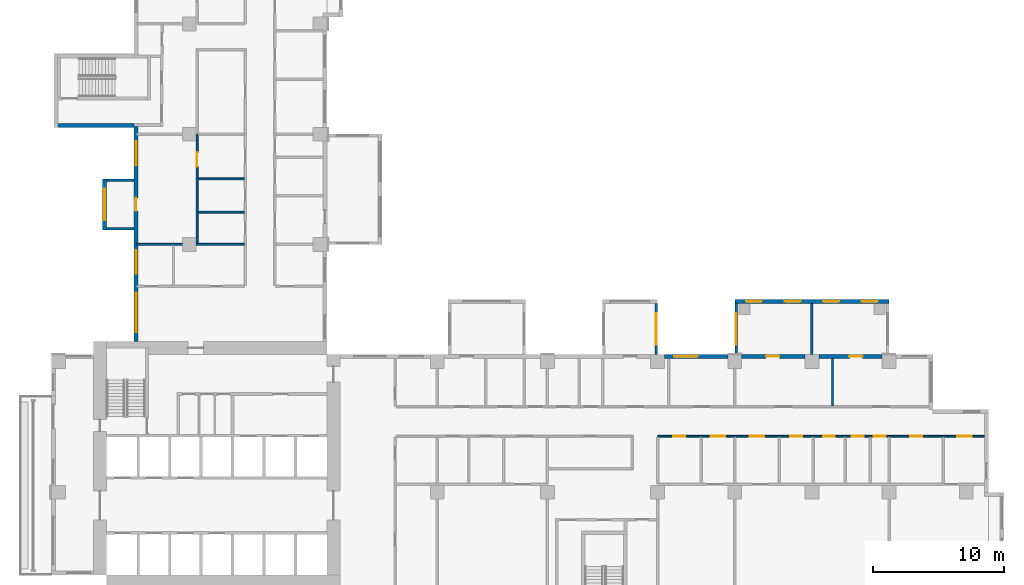
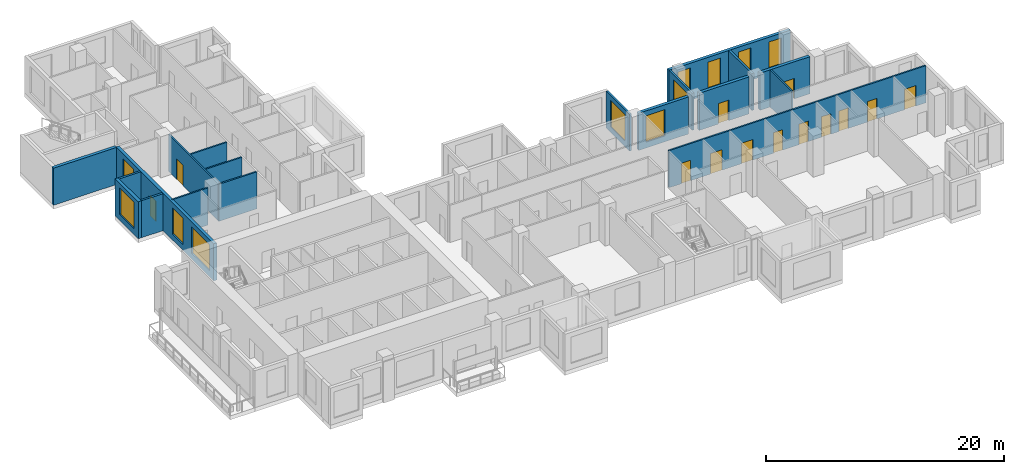
# One storey, part 6 of 15: 19 walls, 13 doors, 11 windows, 24 openings.
"""IFC4 building model written with IfcOpenShell, lengths in metres."""

from ifc_helpers import new_model, si_unit, direction, frame, frame_2d, origin, place, context, subcontext, project, spatial, rectangle, extrude, source, transform, mapped, material, layer, layer_set, type_object, element, fill, save


model = new_model("IFC4")

# Units and contexts
model_context = context("Model", 3, precision=1e-05, world=origin(), true_north=direction((0.0, 1.0)))
body_context = subcontext(model_context, "Body", "Model", "MODEL_VIEW")
ifc_project = project(units=[si_unit("LENGTHUNIT", "METRE"), si_unit("AREAUNIT", "SQUARE_METRE"), si_unit("VOLUMEUNIT", "CUBIC_METRE"), si_unit("PLANEANGLEUNIT", "RADIAN"), si_unit("MASSUNIT", "GRAM", prefix="KILO")], contexts=[model_context])

# Site, building, storey
site_placement = place(None, origin())
site = spatial("IfcSite", under=ifc_project, at=site_placement, CompositionType="ELEMENT")
building_placement = place(site_placement, origin())
building = spatial("IfcBuilding", under=site, at=building_placement, Name="Aurelian Terraces", CompositionType="ELEMENT")
storey_placement = place(building_placement, frame((0.0, 0.0, 137.1)))
storey = spatial("IfcBuildingStorey", under=building, at=storey_placement, Name="L30", CompositionType="ELEMENT", Elevation=137.1)

# Wall, opening, window
ifc_material_1 = material(Name="Concrete fc' 40 MPa", Category="concrete")
ifc_layer_1 = layer(ifc_material_1, 0.2)
ifc_layer_set_1 = layer_set([ifc_layer_1], Name="BOX BEARING WALL 200")
wall_type_1 = type_object("IfcWallType", Name="BOX BEARING WALL 200", PredefinedType="SOLIDWALL", material=ifc_layer_set_1)
shared_shape_1 = source(origin(), body_context, "Body", "SweptSolid", [
    extrude(rectangle(XDim=3.9, YDim=0.2, at=frame_2d((1.95, 0.0))), origin(), (0.0, 0.0, 1.0), 3.79),
])
wall_1_placement = place(storey_placement, frame((52.18, 21.0, 0.0), z_axis=(0.0, 0.0, 1.0), x_axis=(0.0, 1.0, 0.0)))
wall_1 = element("IfcWall", 1, at=wall_1_placement, inside=storey, type_object=wall_type_1, Name="Box return L30 K02.2", PredefinedType="SOLIDWALL", context=body_context, shape_type="MappedRepresentation", body=[
    mapped(shared_shape_1, transform((0.0, 0.0, 0.0), scale=1.0)),
])
shared_shape_2 = source(origin(), body_context, "Body", "SweptSolid", [
    extrude(rectangle(XDim=2.4, YDim=2.7, at=frame_2d((1.2, 1.35))), frame((0.0, 0.11, 0.0), z_axis=(0.0, -1.0, 0.0), x_axis=(1.0, 0.0, 0.0)), (0.0, 0.0, 1.0), 0.22),
])
opening_1_placement = place(wall_1_placement, frame((0.75, 0.0, 0.6)))
opening_1 = element("IfcOpeningElement", 2, at=opening_1_placement, cuts=wall_1, Name="Opening W2427", PredefinedType="OPENING", context=body_context, shape_type="MappedRepresentation", body=[
    mapped(shared_shape_2, transform((0.0, 0.0, 0.0), scale=1.0)),
])
ifc_material_2 = material(Name="Clear glazing", Category="glass")
window_type_1 = type_object("IfcWindowType", Name="W-2400x2700", PartitioningType="SINGLE_PANEL", PredefinedType="WINDOW", material=ifc_material_2)
shared_shape_3 = source(origin(), body_context, "Body", "SweptSolid", [
    extrude(rectangle(XDim=2.4, YDim=2.7, at=frame_2d((1.2, 1.35))), frame((0.0, 0.03, 0.0), z_axis=(0.0, -1.0, 0.0), x_axis=(1.0, 0.0, 0.0)), (0.0, 0.0, 1.0), 0.06),
])
window_1_placement = place(opening_1_placement, origin())
window_1 = element("IfcWindow", 3, at=window_1_placement, inside=storey, type_object=window_type_1, Name="Window L30 K02-S2", OverallHeight=2.7, OverallWidth=2.4, PartitioningType="SINGLE_PANEL", PredefinedType="WINDOW", context=body_context, shape_type="MappedRepresentation", body=[
    mapped(shared_shape_3, transform((0.0, 0.0, 0.0), scale=1.0)),
])
fill(opening_1, window_1)

wall_2_placement = place(storey_placement, frame((46.1, 21.0, 0.0), z_axis=(0.0, 0.0, 1.0), x_axis=(0.0, 1.0, 0.0)))
wall_2 = element("IfcWall", 4, at=wall_2_placement, inside=storey, type_object=wall_type_1, Name="Box return L30 J43.1", PredefinedType="SOLIDWALL", context=body_context, shape_type="MappedRepresentation", body=[
    mapped(shared_shape_1, transform((0.0, 0.0, 0.0), scale=1.0)),
])
opening_2_placement = place(wall_2_placement, frame((0.75, 0.0, 0.6)))
opening_2 = element("IfcOpeningElement", 5, at=opening_2_placement, cuts=wall_2, Name="Opening W2427", PredefinedType="OPENING", context=body_context, shape_type="MappedRepresentation", body=[
    mapped(shared_shape_2, transform((0.0, 0.0, 0.0), scale=1.0)),
])
window_2_placement = place(opening_2_placement, origin())
window_2 = element("IfcWindow", 6, at=window_2_placement, inside=storey, type_object=window_type_1, Name="Window L30 J43-S1", OverallHeight=2.7, OverallWidth=2.4, PartitioningType="SINGLE_PANEL", PredefinedType="WINDOW", context=body_context, shape_type="MappedRepresentation", body=[
    mapped(shared_shape_3, transform((0.0, 0.0, 0.0), scale=1.0)),
])
fill(opening_2, window_2)

# Wall, openings, windows
ifc_layer_2 = layer(ifc_material_1, 0.3)
ifc_layer_set_2 = layer_set([ifc_layer_2], Name="BOX BEARING WALL 300")
wall_type_2 = type_object("IfcWallType", Name="BOX BEARING WALL 300", PredefinedType="SOLIDWALL", material=ifc_layer_set_2)
shared_shape_4 = source(origin(), body_context, "Body", "SweptSolid", [
    extrude(rectangle(XDim=11.76, YDim=0.3, at=frame_2d((5.88, 0.0))), origin(), (0.0, 0.0, 1.0), 3.79),
])
wall_3_placement = place(storey_placement, frame((63.84, 25.05, 0.0), z_axis=(0.0, 0.0, 1.0), x_axis=(-1.0, 0.0, 0.0)))
wall_3 = element("IfcWall", 7, at=wall_3_placement, inside=storey, type_object=wall_type_2, Name="Box wall L30 K02", PredefinedType="SOLIDWALL", context=body_context, shape_type="MappedRepresentation", body=[
    mapped(shared_shape_4, transform((0.0, 0.0, 0.0), scale=1.0)),
])
shared_shape_5 = source(origin(), body_context, "Body", "SweptSolid", [
    extrude(rectangle(XDim=1.2, YDim=2.7, at=frame_2d((0.6, 1.35))), frame((0.0, 0.16, 0.0), z_axis=(0.0, -1.0, 0.0), x_axis=(1.0, 0.0, 0.0)), (0.0, 0.0, 1.0), 0.32),
])
opening_3_placement = place(wall_3_placement, frame((0.87, 0.0, 0.6)))
opening_3 = element("IfcOpeningElement", 8, at=opening_3_placement, cuts=wall_3, Name="Opening W1227", PredefinedType="OPENING", context=body_context, shape_type="MappedRepresentation", body=[
    mapped(shared_shape_5, transform((0.0, 0.0, 0.0), scale=1.0)),
])
opening_4_placement = place(wall_3_placement, frame((3.81, 0.0, 0.6)))
opening_4 = element("IfcOpeningElement", 9, at=opening_4_placement, cuts=wall_3, Name="Opening W1227", PredefinedType="OPENING", context=body_context, shape_type="MappedRepresentation", body=[
    mapped(shared_shape_5, transform((0.0, 0.0, 0.0), scale=1.0)),
])
opening_5_placement = place(wall_3_placement, frame((6.75, 0.0, 0.6)))
opening_5 = element("IfcOpeningElement", 10, at=opening_5_placement, cuts=wall_3, Name="Opening W1227", PredefinedType="OPENING", context=body_context, shape_type="MappedRepresentation", body=[
    mapped(shared_shape_5, transform((0.0, 0.0, 0.0), scale=1.0)),
])
opening_6_placement = place(wall_3_placement, frame((9.69, 0.0, 0.6)))
opening_6 = element("IfcOpeningElement", 11, at=opening_6_placement, cuts=wall_3, Name="Opening W1227", PredefinedType="OPENING", context=body_context, shape_type="MappedRepresentation", body=[
    mapped(shared_shape_5, transform((0.0, 0.0, 0.0), scale=1.0)),
])
window_type_2 = type_object("IfcWindowType", Name="W-1200x2700", PartitioningType="SINGLE_PANEL", PredefinedType="WINDOW", material=ifc_material_2)
shared_shape_6 = source(origin(), body_context, "Body", "SweptSolid", [
    extrude(rectangle(XDim=1.2, YDim=2.7, at=frame_2d((0.6, 1.35))), frame((0.0, 0.03, 0.0), z_axis=(0.0, -1.0, 0.0), x_axis=(1.0, 0.0, 0.0)), (0.0, 0.0, 1.0), 0.06),
])
window_3_placement = place(opening_3_placement, origin())
window_3 = element("IfcWindow", 12, at=window_3_placement, inside=storey, type_object=window_type_2, Name="Window L30 K02-F1", OverallHeight=2.7, OverallWidth=1.2, PartitioningType="SINGLE_PANEL", PredefinedType="WINDOW", context=body_context, shape_type="MappedRepresentation", body=[
    mapped(shared_shape_6, transform((0.0, 0.0, 0.0), scale=1.0)),
])
fill(opening_3, window_3)
window_4_placement = place(opening_4_placement, origin())
window_4 = element("IfcWindow", 13, at=window_4_placement, inside=storey, type_object=window_type_2, Name="Window L30 K02-F2", OverallHeight=2.7, OverallWidth=1.2, PartitioningType="SINGLE_PANEL", PredefinedType="WINDOW", context=body_context, shape_type="MappedRepresentation", body=[
    mapped(shared_shape_6, transform((0.0, 0.0, 0.0), scale=1.0)),
])
fill(opening_4, window_4)
window_5_placement = place(opening_5_placement, origin())
window_5 = element("IfcWindow", 14, at=window_5_placement, inside=storey, type_object=window_type_2, Name="Window L30 K02-F3", OverallHeight=2.7, OverallWidth=1.2, PartitioningType="SINGLE_PANEL", PredefinedType="WINDOW", context=body_context, shape_type="MappedRepresentation", body=[
    mapped(shared_shape_6, transform((0.0, 0.0, 0.0), scale=1.0)),
])
fill(opening_5, window_5)
window_6_placement = place(opening_6_placement, origin())
window_6 = element("IfcWindow", 15, at=window_6_placement, inside=storey, type_object=window_type_2, Name="Window L30 K02-F4", OverallHeight=2.7, OverallWidth=1.2, PartitioningType="SINGLE_PANEL", PredefinedType="WINDOW", context=body_context, shape_type="MappedRepresentation", body=[
    mapped(shared_shape_6, transform((0.0, 0.0, 0.0), scale=1.0)),
])
fill(opening_6, window_6)

# Walls
shared_shape_7 = source(origin(), body_context, "Body", "SweptSolid", [
    extrude(rectangle(XDim=3.9, YDim=0.2, at=frame_2d((1.95, 0.0))), origin(), (0.0, 0.0, 1.0), 3.79),
])
wall_4_placement = place(storey_placement, frame((57.96, 21.0, 0.0), z_axis=(0.0, 0.0, 1.0), x_axis=(0.0, 1.0, 0.0)))
element("IfcWall", 16, at=wall_4_placement, inside=storey, type_object=wall_type_1, Name="Box partition L30 K02", PredefinedType="SOLIDWALL", context=body_context, shape_type="MappedRepresentation", body=[
    mapped(shared_shape_7, transform((0.0, 0.0, 0.0), scale=1.0)),
])
ifc_layer_3 = layer(ifc_material_1, 0.3)
ifc_layer_set_3 = layer_set([ifc_layer_3], Name="STAIR BAY WALL 300")
wall_type_3 = type_object("IfcWallType", Name="STAIR BAY WALL 300", PredefinedType="SOLIDWALL", material=ifc_layer_set_3)
shared_shape_8 = source(origin(), body_context, "Body", "SweptSolid", [
    extrude(rectangle(XDim=6.1, YDim=0.3, at=frame_2d((3.05, 0.0))), origin(), (0.0, 0.0, 1.0), 3.8),
])
wall_5_placement = place(storey_placement, frame((0.2, 38.45, 0.0), z_axis=(0.0, 0.0, 1.0), x_axis=(1.0, 0.0, 0.0)))
element("IfcWall", 17, at=wall_5_placement, inside=storey, type_object=wall_type_3, Name="Stair bay wall L30 F15.32", PredefinedType="SOLIDWALL", context=body_context, shape_type="MappedRepresentation", body=[
    mapped(shared_shape_8, transform((0.0, 0.0, 0.0), scale=1.0)),
])

# Wall, opening, door
ifc_material_3 = material(Name="Terracotta rainscreen cladding", Category="masonry")
ifc_layer_4 = layer(ifc_material_3, 0.3)
ifc_layer_set_4 = layer_set([ifc_layer_4], Name="EW-300")
wall_type_4 = type_object("IfcWallType", Name="EW-300", PredefinedType="STANDARD", material=ifc_layer_set_4)
shared_shape_9 = source(origin(), body_context, "Body", "SweptSolid", [
    extrude(rectangle(XDim=4.83, YDim=0.3, at=frame_2d((2.415, 0.0))), origin(), (0.0, 0.0, 1.0), 3.8),
])
wall_6_placement = place(storey_placement, frame((63.315, 20.85, 0.0), z_axis=(0.0, 0.0, 1.0), x_axis=(-1.0, 0.0, 0.0)))
wall_6 = element("IfcWall", 18, at=wall_6_placement, inside=storey, type_object=wall_type_4, Name="External wall L30 F07.19", PredefinedType="STANDARD", context=body_context, shape_type="MappedRepresentation", body=[
    mapped(shared_shape_9, transform((0.0, 0.0, 0.0), scale=1.0)),
])
shared_shape_10 = source(origin(), body_context, "Body", "SweptSolid", [
    extrude(rectangle(XDim=1.0, YDim=2.1, at=frame_2d((0.5, 1.05))), frame((0.0, 0.16, 0.0), z_axis=(0.0, -1.0, 0.0), x_axis=(1.0, 0.0, 0.0)), (0.0, 0.0, 1.0), 0.32),
])
opening_7_placement = place(wall_6_placement, frame((1.495, 0.0, 0.0)))
opening_7 = element("IfcOpeningElement", 19, at=opening_7_placement, cuts=wall_6, Name="Opening 830007", PredefinedType="OPENING", context=body_context, shape_type="MappedRepresentation", body=[
    mapped(shared_shape_10, transform((0.0, 0.0, 0.0), scale=1.0)),
])
ifc_material_4 = material(Name="Timber door leaf", Category="wood")
door_type_1 = type_object("IfcDoorType", Name="Room door 1000x2100 left", OperationType="SINGLE_SWING_LEFT", PredefinedType="DOOR", material=ifc_material_4)
shared_shape_11 = source(origin(), body_context, "Body", "SweptSolid", [
    extrude(rectangle(XDim=1.0, YDim=2.1, at=frame_2d((0.5, 1.05))), frame((0.0, 0.025, 0.0), z_axis=(0.0, -1.0, 0.0), x_axis=(1.0, 0.0, 0.0)), (0.0, 0.0, 1.0), 0.05),
])
door_1_placement = place(opening_7_placement, origin())
door_1 = element("IfcDoor", 20, at=door_1_placement, inside=storey, type_object=door_type_1, Name="Door 830007", OperationType="SINGLE_SWING_LEFT", OverallHeight=2.1, OverallWidth=1.0, PredefinedType="DOOR", context=body_context, shape_type="MappedRepresentation", body=[
    mapped(shared_shape_11, transform((0.0, 0.0, 0.0), scale=1.0)),
])
fill(opening_7, door_1)

wall_7_placement = place(storey_placement, frame((57.435, 20.85, 0.0), z_axis=(0.0, 0.0, 1.0), x_axis=(-1.0, 0.0, 0.0)))
wall_7 = element("IfcWall", 21, at=wall_7_placement, inside=storey, type_object=wall_type_4, Name="External wall L30 F07.19", PredefinedType="STANDARD", context=body_context, shape_type="MappedRepresentation", body=[
    mapped(shared_shape_9, transform((0.0, 0.0, 0.0), scale=1.0)),
])
opening_8_placement = place(wall_7_placement, frame((1.9617, 0.0, 0.0)))
opening_8 = element("IfcOpeningElement", 22, at=opening_8_placement, cuts=wall_7, Name="Opening 830008", PredefinedType="OPENING", context=body_context, shape_type="MappedRepresentation", body=[
    mapped(shared_shape_10, transform((0.0, 0.0, 0.0), scale=1.0)),
])
door_2_placement = place(opening_8_placement, origin())
door_2 = element("IfcDoor", 23, at=door_2_placement, inside=storey, type_object=door_type_1, Name="Door 830008", OperationType="SINGLE_SWING_LEFT", OverallHeight=2.1, OverallWidth=1.0, PredefinedType="DOOR", context=body_context, shape_type="MappedRepresentation", body=[
    mapped(shared_shape_11, transform((0.0, 0.0, 0.0), scale=1.0)),
])
fill(opening_8, door_2)

# Wall, opening, window
wall_8_placement = place(storey_placement, frame((51.555, 20.85, 0.0), z_axis=(0.0, 0.0, 1.0), x_axis=(-1.0, 0.0, 0.0)))
wall_8 = element("IfcWall", 24, at=wall_8_placement, inside=storey, type_object=wall_type_4, Name="External wall L30 F07.19", PredefinedType="STANDARD", context=body_context, shape_type="MappedRepresentation", body=[
    mapped(shared_shape_9, transform((0.0, 0.0, 0.0), scale=1.0)),
])
shared_shape_12 = source(origin(), body_context, "Body", "SweptSolid", [
    extrude(rectangle(XDim=1.8, YDim=2.7, at=frame_2d((0.9, 1.35))), frame((0.0, 0.16, 0.0), z_axis=(0.0, -1.0, 0.0), x_axis=(1.0, 0.0, 0.0)), (0.0, 0.0, 1.0), 0.32),
])
opening_9_placement = place(wall_8_placement, frame((2.2975, 0.0, 0.6)))
opening_9 = element("IfcOpeningElement", 25, at=opening_9_placement, cuts=wall_8, Name="Opening W1827", PredefinedType="OPENING", context=body_context, shape_type="MappedRepresentation", body=[
    mapped(shared_shape_12, transform((0.0, 0.0, 0.0), scale=1.0)),
])
window_type_3 = type_object("IfcWindowType", Name="W-1800x2700", PartitioningType="SINGLE_PANEL", PredefinedType="WINDOW", material=ifc_material_2)
shared_shape_13 = source(origin(), body_context, "Body", "SweptSolid", [
    extrude(rectangle(XDim=1.8, YDim=2.7, at=frame_2d((0.9, 1.35))), frame((0.0, 0.03, 0.0), z_axis=(0.0, -1.0, 0.0), x_axis=(1.0, 0.0, 0.0)), (0.0, 0.0, 1.0), 0.06),
])
window_7_placement = place(opening_9_placement, origin())
window_7 = element("IfcWindow", 26, at=window_7_placement, inside=storey, type_object=window_type_3, Name="Window L30 L30-F07-19-4", OverallHeight=2.7, OverallWidth=1.8, PartitioningType="SINGLE_PANEL", PredefinedType="WINDOW", context=body_context, shape_type="MappedRepresentation", body=[
    mapped(shared_shape_13, transform((0.0, 0.0, 0.0), scale=1.0)),
])
fill(opening_9, window_7)

# Walls
shared_shape_14 = source(origin(), body_context, "Body", "SweptSolid", [
    extrude(rectangle(XDim=2.1, YDim=0.2, at=frame_2d((1.05, 0.0))), origin(), (0.0, 0.0, 1.0), 3.79),
])
for number, where, z_axis, x_axis, name in (
    (27, (6.3, 34.3, 0.0), (0.0, 0.0, 1.0), (-1.0, 0.0, 0.0), "Box return L30 J44.1"),
    (28, (6.3, 30.6, 0.0), (0.0, 0.0, 1.0), (-1.0, 0.0, 0.0), "Box return L30 J44.2"),
):
    element("IfcWall", number, at=place(storey_placement, frame(where, z_axis=z_axis, x_axis=x_axis)), inside=storey, type_object=wall_type_1, Name=name, PredefinedType="SOLIDWALL", context=body_context, shape_type="MappedRepresentation", body=[
        mapped(shared_shape_14, transform((0.0, 0.0, 0.0), scale=1.0)),
    ])

# Wall, openings, windows, door
shared_shape_15 = source(origin(), body_context, "Body", "SweptSolid", [
    extrude(rectangle(XDim=16.4, YDim=0.3, at=frame_2d((8.2, 0.0))), origin(), (0.0, 0.0, 1.0), 3.8),
])
wall_9_placement = place(storey_placement, frame((6.45, 38.4, 0.0), z_axis=(0.0, 0.0, 1.0), x_axis=(0.0, -1.0, 0.0)))
wall_9 = element("IfcWall", 29, at=wall_9_placement, inside=storey, type_object=wall_type_4, Name="External wall L30 F16.33", PredefinedType="STANDARD", context=body_context, shape_type="MappedRepresentation", body=[
    mapped(shared_shape_15, transform((0.0, 0.0, 0.0), scale=1.0)),
])
opening_10_placement = place(wall_9_placement, frame((1.15, 0.0, 0.6)))
opening_10 = element("IfcOpeningElement", 30, at=opening_10_placement, cuts=wall_9, Name="Opening W1827", PredefinedType="OPENING", context=body_context, shape_type="MappedRepresentation", body=[
    mapped(shared_shape_12, transform((0.0, 0.0, 0.0), scale=1.0)),
])
opening_11_placement = place(wall_9_placement, frame((9.4375, 0.0, 0.6)))
opening_11 = element("IfcOpeningElement", 31, at=opening_11_placement, cuts=wall_9, Name="Opening W1827", PredefinedType="OPENING", context=body_context, shape_type="MappedRepresentation", body=[
    mapped(shared_shape_12, transform((0.0, 0.0, 0.0), scale=1.0)),
])
shared_shape_16 = source(origin(), body_context, "Body", "SweptSolid", [
    extrude(rectangle(XDim=3.0, YDim=2.7, at=frame_2d((1.5, 1.35))), frame((0.0, 0.16, 0.0), z_axis=(0.0, -1.0, 0.0), x_axis=(1.0, 0.0, 0.0)), (0.0, 0.0, 1.0), 0.32),
])
opening_12_placement = place(wall_9_placement, frame((12.7, 0.0, 0.6)))
opening_12 = element("IfcOpeningElement", 32, at=opening_12_placement, cuts=wall_9, Name="Opening W3027", PredefinedType="OPENING", context=body_context, shape_type="MappedRepresentation", body=[
    mapped(shared_shape_16, transform((0.0, 0.0, 0.0), scale=1.0)),
])
opening_13_placement = place(wall_9_placement, frame((5.45, 0.0, 0.0)))
opening_13 = element("IfcOpeningElement", 33, at=opening_13_placement, cuts=wall_9, Name="Opening 830006", PredefinedType="OPENING", context=body_context, shape_type="MappedRepresentation", body=[
    mapped(shared_shape_10, transform((0.0, 0.0, 0.0), scale=1.0)),
])
window_8_placement = place(opening_10_placement, origin())
window_8 = element("IfcWindow", 34, at=window_8_placement, inside=storey, type_object=window_type_3, Name="Window L30 L30-F16-33-0", OverallHeight=2.7, OverallWidth=1.8, PartitioningType="SINGLE_PANEL", PredefinedType="WINDOW", context=body_context, shape_type="MappedRepresentation", body=[
    mapped(shared_shape_13, transform((0.0, 0.0, 0.0), scale=1.0)),
])
fill(opening_10, window_8)
window_9_placement = place(opening_11_placement, origin())
window_9 = element("IfcWindow", 35, at=window_9_placement, inside=storey, type_object=window_type_3, Name="Window L30 L30-F16-33-2", OverallHeight=2.7, OverallWidth=1.8, PartitioningType="SINGLE_PANEL", PredefinedType="WINDOW", context=body_context, shape_type="MappedRepresentation", body=[
    mapped(shared_shape_13, transform((0.0, 0.0, 0.0), scale=1.0)),
])
fill(opening_11, window_9)
window_type_4 = type_object("IfcWindowType", Name="W-3000x2700", PartitioningType="SINGLE_PANEL", PredefinedType="WINDOW", material=ifc_material_2)
shared_shape_17 = source(origin(), body_context, "Body", "SweptSolid", [
    extrude(rectangle(XDim=3.0, YDim=2.7, at=frame_2d((1.5, 1.35))), frame((0.0, 0.03, 0.0), z_axis=(0.0, -1.0, 0.0), x_axis=(1.0, 0.0, 0.0)), (0.0, 0.0, 1.0), 0.06),
])
window_10_placement = place(opening_12_placement, origin())
window_10 = element("IfcWindow", 36, at=window_10_placement, inside=storey, type_object=window_type_4, Name="Window L30 L30-F16-33-3", OverallHeight=2.7, OverallWidth=3.0, PartitioningType="SINGLE_PANEL", PredefinedType="WINDOW", context=body_context, shape_type="MappedRepresentation", body=[
    mapped(shared_shape_17, transform((0.0, 0.0, 0.0), scale=1.0)),
])
fill(opening_12, window_10)
door_3_placement = place(opening_13_placement, origin())
door_3 = element("IfcDoor", 37, at=door_3_placement, inside=storey, type_object=door_type_1, Name="Door 830006", OperationType="SINGLE_SWING_LEFT", OverallHeight=2.1, OverallWidth=1.0, PredefinedType="DOOR", context=body_context, shape_type="MappedRepresentation", body=[
    mapped(shared_shape_11, transform((0.0, 0.0, 0.0), scale=1.0)),
])
fill(opening_13, door_3)

# Wall, opening, window
shared_shape_18 = source(origin(), body_context, "Body", "SweptSolid", [
    extrude(rectangle(XDim=3.9, YDim=0.3, at=frame_2d((1.95, 0.0))), origin(), (0.0, 0.0, 1.0), 3.79),
])
wall_10_placement = place(storey_placement, frame((4.05, 34.4, 0.0), z_axis=(0.0, 0.0, 1.0), x_axis=(0.0, -1.0, 0.0)))
wall_10 = element("IfcWall", 38, at=wall_10_placement, inside=storey, type_object=wall_type_2, Name="Box wall L30 J44", PredefinedType="SOLIDWALL", context=body_context, shape_type="MappedRepresentation", body=[
    mapped(shared_shape_18, transform((0.0, 0.0, 0.0), scale=1.0)),
])
shared_shape_19 = source(origin(), body_context, "Body", "SweptSolid", [
    extrude(rectangle(XDim=2.4, YDim=2.7, at=frame_2d((1.2, 1.35))), frame((0.0, 0.16, 0.0), z_axis=(0.0, -1.0, 0.0), x_axis=(1.0, 0.0, 0.0)), (0.0, 0.0, 1.0), 0.32),
])
opening_14_placement = place(wall_10_placement, frame((0.75, 0.0, 0.6)))
opening_14 = element("IfcOpeningElement", 39, at=opening_14_placement, cuts=wall_10, Name="Opening W2427", PredefinedType="OPENING", context=body_context, shape_type="MappedRepresentation", body=[
    mapped(shared_shape_19, transform((0.0, 0.0, 0.0), scale=1.0)),
])
window_11_placement = place(opening_14_placement, origin())
window_11 = element("IfcWindow", 40, at=window_11_placement, inside=storey, type_object=window_type_1, Name="Window L30 J44-F1", OverallHeight=2.7, OverallWidth=2.4, PartitioningType="SINGLE_PANEL", PredefinedType="WINDOW", context=body_context, shape_type="MappedRepresentation", body=[
    mapped(shared_shape_3, transform((0.0, 0.0, 0.0), scale=1.0)),
])
fill(opening_14, window_11)

# Wall
ifc_material_5 = material(Name="Gypsum board on steel studs", Category="steel")
ifc_layer_5 = layer(ifc_material_5, 0.15)
ifc_layer_set_5 = layer_set([ifc_layer_5], Name="Partition 150")
wall_type_5 = type_object("IfcWallType", Name="Partition 150", PredefinedType="PARTITIONING", material=ifc_layer_set_5)
shared_shape_20 = source(origin(), body_context, "Body", "SweptSolid", [
    extrude(rectangle(XDim=3.6, YDim=0.15, at=frame_2d((1.8, 0.0))), origin(), (0.0, 0.0, 1.0), 3.8),
])
wall_11_placement = place(storey_placement, frame((59.5275, 20.7, 0.0), z_axis=(0.0, 0.0, 1.0), x_axis=(0.0, -1.0, 0.0)))
element("IfcWall", 41, at=wall_11_placement, inside=storey, type_object=wall_type_5, Name="Partition", PredefinedType="PARTITIONING", context=body_context, shape_type="MappedRepresentation", body=[
    mapped(shared_shape_20, transform((0.0, 0.0, 0.0), scale=1.0)),
])

# Wall, opening, door
shared_shape_21 = source(origin(), body_context, "Body", "SweptSolid", [
    extrude(rectangle(XDim=8.4, YDim=0.15, at=frame_2d((4.2, 0.0))), origin(), (0.0, 0.0, 1.0), 3.8),
])
wall_12_placement = place(storey_placement, frame((11.1, 29.4, 0.0), z_axis=(0.0, 0.0, 1.0), x_axis=(0.0, 1.0, 0.0)))
wall_12 = element("IfcWall", 42, at=wall_12_placement, inside=storey, type_object=wall_type_5, Name="Partition", PredefinedType="PARTITIONING", context=body_context, shape_type="MappedRepresentation", body=[
    mapped(shared_shape_21, transform((0.0, 0.0, 0.0), scale=1.0)),
])
shared_shape_22 = source(origin(), body_context, "Body", "SweptSolid", [
    extrude(rectangle(XDim=1.1, YDim=2.1, at=frame_2d((0.55, 1.05))), frame((0.0, 0.085, 0.0), z_axis=(0.0, -1.0, 0.0), x_axis=(1.0, 0.0, 0.0)), (0.0, 0.0, 1.0), 0.17),
])
opening_15_placement = place(wall_12_placement, frame((5.9162, 0.0, 0.0)))
opening_15 = element("IfcOpeningElement", 43, at=opening_15_placement, cuts=wall_12, Name="Opening 730038", PredefinedType="OPENING", context=body_context, shape_type="MappedRepresentation", body=[
    mapped(shared_shape_22, transform((0.0, 0.0, 0.0), scale=1.0)),
])
door_type_2 = type_object("IfcDoorType", Name="Room door 1100x2100 right", OperationType="SINGLE_SWING_RIGHT", PredefinedType="DOOR", material=ifc_material_4)
shared_shape_23 = source(origin(), body_context, "Body", "SweptSolid", [
    extrude(rectangle(XDim=1.1, YDim=2.1, at=frame_2d((0.55, 1.05))), frame((0.0, 0.025, 0.0), z_axis=(0.0, -1.0, 0.0), x_axis=(1.0, 0.0, 0.0)), (0.0, 0.0, 1.0), 0.05),
])
door_4_placement = place(opening_15_placement, origin())
door_4 = element("IfcDoor", 44, at=door_4_placement, inside=storey, type_object=door_type_2, Name="Door 730038", OperationType="SINGLE_SWING_RIGHT", OverallHeight=2.1, OverallWidth=1.1, PredefinedType="DOOR", context=body_context, shape_type="MappedRepresentation", body=[
    mapped(shared_shape_23, transform((0.0, 0.0, 0.0), scale=1.0)),
])
fill(opening_15, door_4)

# Wall, openings, doors
ifc_layer_6 = layer(ifc_material_5, 0.15)
ifc_layer_set_6 = layer_set([ifc_layer_6], Name="Fire partition 150")
wall_type_6 = type_object("IfcWallType", Name="Fire partition 150", PredefinedType="PARTITIONING", material=ifc_layer_set_6)
shared_shape_24 = source(origin(), body_context, "Body", "SweptSolid", [
    extrude(rectangle(XDim=24.9, YDim=0.15, at=frame_2d((12.45, 0.0))), origin(), (0.0, 0.0, 1.0), 3.8),
])
wall_13_placement = place(storey_placement, frame((71.1, 14.775, 0.0), z_axis=(0.0, 0.0, 1.0), x_axis=(-1.0, 0.0, 0.0)))
wall_13 = element("IfcWall", 45, at=wall_13_placement, inside=storey, type_object=wall_type_6, Name="Corridor wall", PredefinedType="PARTITIONING", context=body_context, shape_type="MappedRepresentation", body=[
    mapped(shared_shape_24, transform((0.0, 0.0, 0.0), scale=1.0)),
])
opening_16_placement = place(wall_13_placement, frame((19.7542, 0.0, 0.0)))
opening_16 = element("IfcOpeningElement", 46, at=opening_16_placement, cuts=wall_13, Name="Opening 730011", PredefinedType="OPENING", context=body_context, shape_type="MappedRepresentation", body=[
    mapped(shared_shape_22, transform((0.0, 0.0, 0.0), scale=1.0)),
])
shared_shape_25 = source(origin(), body_context, "Body", "SweptSolid", [
    extrude(rectangle(XDim=0.9, YDim=2.1, at=frame_2d((0.45, 1.05))), frame((0.0, 0.085, 0.0), z_axis=(0.0, -1.0, 0.0), x_axis=(1.0, 0.0, 0.0)), (0.0, 0.0, 1.0), 0.17),
])
opening_17_placement = place(wall_13_placement, frame((22.7942, 0.0, 0.0)))
opening_17 = element("IfcOpeningElement", 47, at=opening_17_placement, cuts=wall_13, Name="Opening 730013", PredefinedType="OPENING", context=body_context, shape_type="MappedRepresentation", body=[
    mapped(shared_shape_25, transform((0.0, 0.0, 0.0), scale=1.0)),
])
opening_18_placement = place(wall_13_placement, frame((16.7722, 0.0, 0.0)))
opening_18 = element("IfcOpeningElement", 48, at=opening_18_placement, cuts=wall_13, Name="Opening 730014", PredefinedType="OPENING", context=body_context, shape_type="MappedRepresentation", body=[
    mapped(shared_shape_22, transform((0.0, 0.0, 0.0), scale=1.0)),
])
opening_19_placement = place(wall_13_placement, frame((13.8859, 0.0, 0.0)))
opening_19 = element("IfcOpeningElement", 49, at=opening_19_placement, cuts=wall_13, Name="Opening 730016", PredefinedType="OPENING", context=body_context, shape_type="MappedRepresentation", body=[
    mapped(shared_shape_25, transform((0.0, 0.0, 0.0), scale=1.0)),
])
opening_20_placement = place(wall_13_placement, frame((11.382, 0.0, 0.0)))
opening_20 = element("IfcOpeningElement", 50, at=opening_20_placement, cuts=wall_13, Name="Opening 730017", PredefinedType="OPENING", context=body_context, shape_type="MappedRepresentation", body=[
    mapped(shared_shape_25, transform((0.0, 0.0, 0.0), scale=1.0)),
])
opening_21_placement = place(wall_13_placement, frame((9.2003, 0.0, 0.0)))
opening_21 = element("IfcOpeningElement", 51, at=opening_21_placement, cuts=wall_13, Name="Opening 730018", PredefinedType="OPENING", context=body_context, shape_type="MappedRepresentation", body=[
    mapped(shared_shape_25, transform((0.0, 0.0, 0.0), scale=1.0)),
])
opening_22_placement = place(wall_13_placement, frame((7.5219, 0.0, 0.0)))
opening_22 = element("IfcOpeningElement", 52, at=opening_22_placement, cuts=wall_13, Name="Opening 730019", PredefinedType="OPENING", context=body_context, shape_type="MappedRepresentation", body=[
    mapped(shared_shape_25, transform((0.0, 0.0, 0.0), scale=1.0)),
])
opening_23_placement = place(wall_13_placement, frame((0.9758, 0.0, 0.0)))
opening_23 = element("IfcOpeningElement", 53, at=opening_23_placement, cuts=wall_13, Name="Opening 730020", PredefinedType="OPENING", context=body_context, shape_type="MappedRepresentation", body=[
    mapped(shared_shape_22, transform((0.0, 0.0, 0.0), scale=1.0)),
])
opening_24_placement = place(wall_13_placement, frame((4.7433, 0.0, 0.0)))
opening_24 = element("IfcOpeningElement", 54, at=opening_24_placement, cuts=wall_13, Name="Opening 730022", PredefinedType="OPENING", context=body_context, shape_type="MappedRepresentation", body=[
    mapped(shared_shape_25, transform((0.0, 0.0, 0.0), scale=1.0)),
])
door_type_3 = type_object("IfcDoorType", Name="Room door 900x2100 left", OperationType="SINGLE_SWING_LEFT", PredefinedType="DOOR", material=ifc_material_4)
shared_shape_26 = source(origin(), body_context, "Body", "SweptSolid", [
    extrude(rectangle(XDim=0.9, YDim=2.1, at=frame_2d((0.45, 1.05))), frame((0.0, 0.025, 0.0), z_axis=(0.0, -1.0, 0.0), x_axis=(1.0, 0.0, 0.0)), (0.0, 0.0, 1.0), 0.05),
])
door_5_placement = place(opening_17_placement, origin())
door_5 = element("IfcDoor", 55, at=door_5_placement, inside=storey, type_object=door_type_3, Name="Door 730013", OperationType="SINGLE_SWING_LEFT", OverallHeight=2.1, OverallWidth=0.9, PredefinedType="DOOR", context=body_context, shape_type="MappedRepresentation", body=[
    mapped(shared_shape_26, transform((0.0, 0.0, 0.0), scale=1.0)),
])
fill(opening_17, door_5)
door_6_placement = place(opening_19_placement, origin())
door_6 = element("IfcDoor", 56, at=door_6_placement, inside=storey, type_object=door_type_3, Name="Door 730016", OperationType="SINGLE_SWING_LEFT", OverallHeight=2.1, OverallWidth=0.9, PredefinedType="DOOR", context=body_context, shape_type="MappedRepresentation", body=[
    mapped(shared_shape_26, transform((0.0, 0.0, 0.0), scale=1.0)),
])
fill(opening_19, door_6)
door_type_4 = type_object("IfcDoorType", Name="Room door 900x2100 right", OperationType="SINGLE_SWING_RIGHT", PredefinedType="DOOR", material=ifc_material_4)
door_7_placement = place(opening_20_placement, origin())
door_7 = element("IfcDoor", 57, at=door_7_placement, inside=storey, type_object=door_type_4, Name="Door 730017", OperationType="SINGLE_SWING_RIGHT", OverallHeight=2.1, OverallWidth=0.9, PredefinedType="DOOR", context=body_context, shape_type="MappedRepresentation", body=[
    mapped(shared_shape_26, transform((0.0, 0.0, 0.0), scale=1.0)),
])
fill(opening_20, door_7)
door_8_placement = place(opening_21_placement, origin())
door_8 = element("IfcDoor", 58, at=door_8_placement, inside=storey, type_object=door_type_3, Name="Door 730018", OperationType="SINGLE_SWING_LEFT", OverallHeight=2.1, OverallWidth=0.9, PredefinedType="DOOR", context=body_context, shape_type="MappedRepresentation", body=[
    mapped(shared_shape_26, transform((0.0, 0.0, 0.0), scale=1.0)),
])
fill(opening_21, door_8)
door_9_placement = place(opening_22_placement, origin())
door_9 = element("IfcDoor", 59, at=door_9_placement, inside=storey, type_object=door_type_4, Name="Door 730019", OperationType="SINGLE_SWING_RIGHT", OverallHeight=2.1, OverallWidth=0.9, PredefinedType="DOOR", context=body_context, shape_type="MappedRepresentation", body=[
    mapped(shared_shape_26, transform((0.0, 0.0, 0.0), scale=1.0)),
])
fill(opening_22, door_9)
door_10_placement = place(opening_24_placement, origin())
door_10 = element("IfcDoor", 60, at=door_10_placement, inside=storey, type_object=door_type_3, Name="Door 730022", OperationType="SINGLE_SWING_LEFT", OverallHeight=2.1, OverallWidth=0.9, PredefinedType="DOOR", context=body_context, shape_type="MappedRepresentation", body=[
    mapped(shared_shape_26, transform((0.0, 0.0, 0.0), scale=1.0)),
])
fill(opening_24, door_10)
door_type_5 = type_object("IfcDoorType", Name="Room door 1100x2100 left", OperationType="SINGLE_SWING_LEFT", PredefinedType="DOOR", material=ifc_material_4)
door_11_placement = place(opening_16_placement, origin())
door_11 = element("IfcDoor", 61, at=door_11_placement, inside=storey, type_object=door_type_5, Name="Door 730011", OperationType="SINGLE_SWING_LEFT", OverallHeight=2.1, OverallWidth=1.1, PredefinedType="DOOR", context=body_context, shape_type="MappedRepresentation", body=[
    mapped(shared_shape_23, transform((0.0, 0.0, 0.0), scale=1.0)),
])
fill(opening_16, door_11)
door_12_placement = place(opening_18_placement, origin())
door_12 = element("IfcDoor", 62, at=door_12_placement, inside=storey, type_object=door_type_5, Name="Door 730014", OperationType="SINGLE_SWING_LEFT", OverallHeight=2.1, OverallWidth=1.1, PredefinedType="DOOR", context=body_context, shape_type="MappedRepresentation", body=[
    mapped(shared_shape_23, transform((0.0, 0.0, 0.0), scale=1.0)),
])
fill(opening_18, door_12)
door_13_placement = place(opening_23_placement, origin())
door_13 = element("IfcDoor", 63, at=door_13_placement, inside=storey, type_object=door_type_5, Name="Door 730020", OperationType="SINGLE_SWING_LEFT", OverallHeight=2.1, OverallWidth=1.1, PredefinedType="DOOR", context=body_context, shape_type="MappedRepresentation", body=[
    mapped(shared_shape_23, transform((0.0, 0.0, 0.0), scale=1.0)),
])
fill(opening_23, door_13)

# Walls
shared_shape_27 = source(origin(), body_context, "Body", "SweptSolid", [
    extrude(rectangle(XDim=3.471, YDim=0.15, at=frame_2d((1.7355, 0.0))), origin(), (0.0, 0.0, 1.0), 3.8),
])
wall_14_placement = place(storey_placement, frame((9.976, 29.4, 0.0), z_axis=(0.0, 0.0, 1.0), x_axis=(-1.0, 0.0, 0.0)))
element("IfcWall", 64, at=wall_14_placement, inside=storey, type_object=wall_type_5, Name="Partition", PredefinedType="PARTITIONING", context=body_context, shape_type="MappedRepresentation", body=[
    mapped(shared_shape_27, transform((0.0, 0.0, 0.0), scale=1.0)),
])
shared_shape_28 = source(origin(), body_context, "Body", "SweptSolid", [
    extrude(rectangle(XDim=3.525, YDim=0.15, at=frame_2d((1.7625, 0.0))), origin(), (0.0, 0.0, 1.0), 3.8),
])
for number, where, z_axis, x_axis, name in (
    (65, (14.7, 31.8612, 0.0), (0.0, 0.0, 1.0), (-1.0, 0.0, 0.0), "Partition"),
    (66, (14.7, 34.3912, 0.0), (0.0, 0.0, 1.0), (-1.0, 0.0, 0.0), "Partition"),
):
    element("IfcWall", number, at=place(storey_placement, frame(where, z_axis=z_axis, x_axis=x_axis)), inside=storey, type_object=wall_type_5, Name=name, PredefinedType="PARTITIONING", context=body_context, shape_type="MappedRepresentation", body=[
        mapped(shared_shape_28, transform((0.0, 0.0, 0.0), scale=1.0)),
    ])
shared_shape_29 = source(origin(), body_context, "Body", "SweptSolid", [
    extrude(rectangle(XDim=3.676, YDim=0.15, at=frame_2d((1.838, 0.0))), origin(), (0.0, 0.0, 1.0), 3.8),
])
wall_15_placement = place(storey_placement, frame((14.7, 29.4, 0.0), z_axis=(0.0, 0.0, 1.0), x_axis=(-1.0, 0.0, 0.0)))
element("IfcWall", 67, at=wall_15_placement, inside=storey, type_object=wall_type_5, Name="Partition", PredefinedType="PARTITIONING", context=body_context, shape_type="MappedRepresentation", body=[
    mapped(shared_shape_29, transform((0.0, 0.0, 0.0), scale=1.0)),
])

save(model, "model.ifc")
